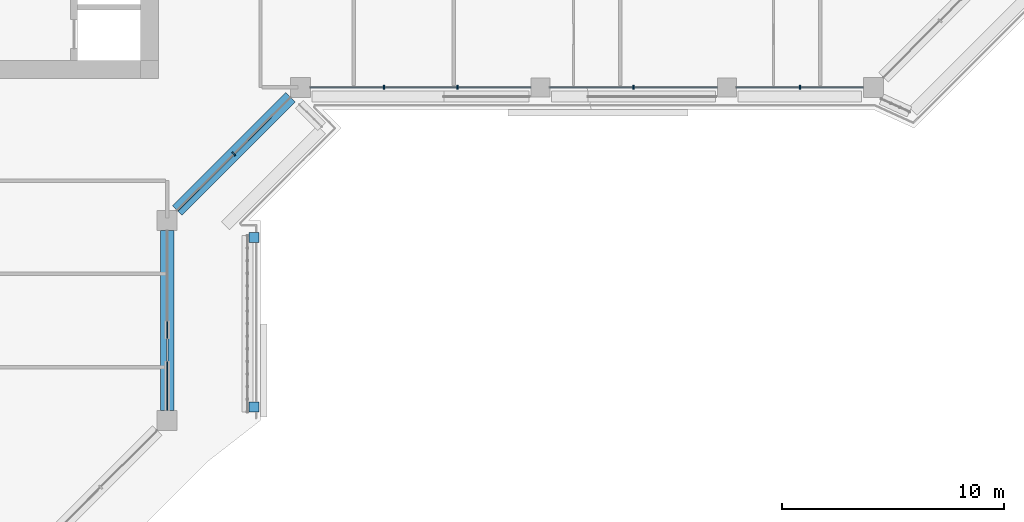
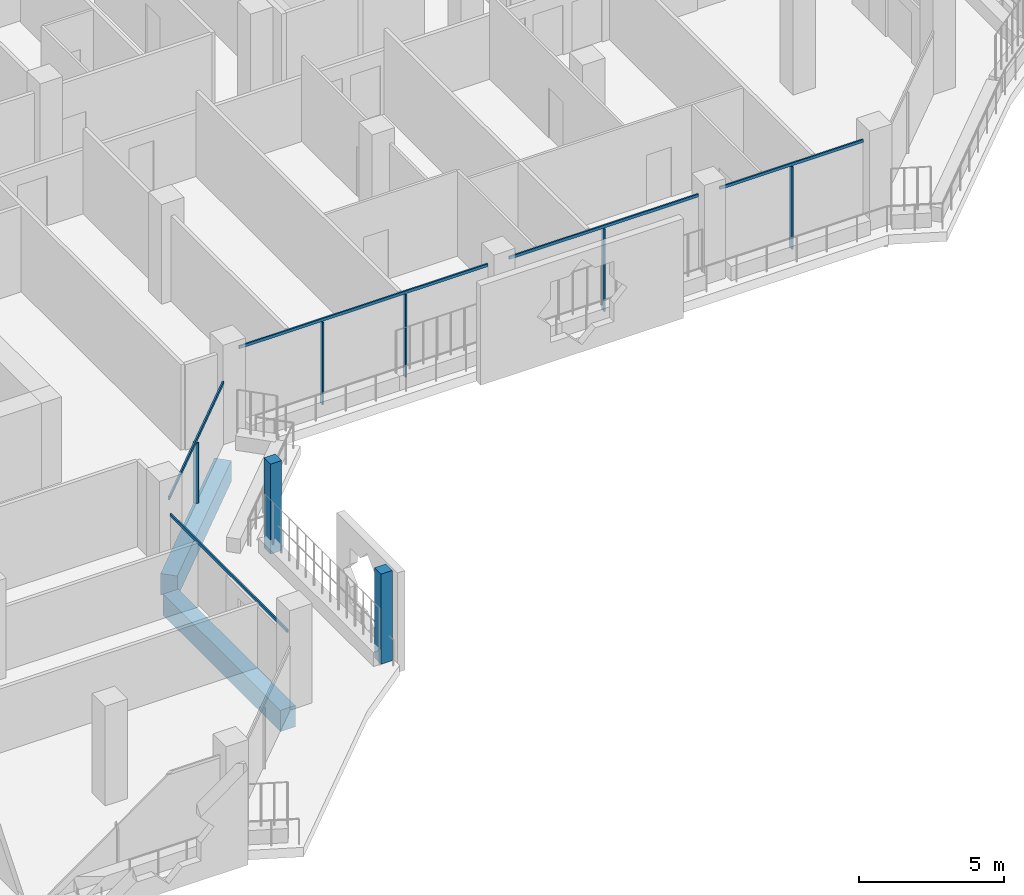
# One storey, part 4 of 21: 12 members, 2 beams, 4 elements without a shape of their own.
"""IFC4 building model written with IfcOpenShell, lengths in metres."""

import ifcopenshell
import ifcopenshell.guid

model = None  # the IFC model being written
_history = None  # IfcOwnerHistory: only IFC2X3 demands one
_inside = {}  # id of a spatial element -> (the spatial element, [elements in it])
_under = {}  # id of a project, library or spatial element -> (it, [spatial elements below it])
_declared = {}  # id of a project -> (the project, [libraries it declares])
_typed = {}  # id of a type object -> (the type object, [elements of that type])
_made_of = {}  # id of a material, layer set ... -> (it, [elements and type objects made of it])


def new_model(schema):
    """Start an empty IFC model of exactly this schema.

    Asked for "IFC4X3", IfcOpenShell would pick the latest addendum, in which some entities
    have other attributes; the version numbers below select the first issue.
    IFC2X3 requires an IfcOwnerHistory on every rooted entity: one is made here for all.
    """
    global model, _history
    if schema == "IFC4X3":
        model = ifcopenshell.file(schema_version=(4, 3, 0, 0))
    else:
        model = ifcopenshell.file(schema=schema)
    _inside.clear()
    _under.clear()
    _declared.clear()
    _typed.clear()
    _made_of.clear()
    _history = None
    if model.schema == "IFC2X3":
        org = make("IfcOrganization", Name="unknown")
        user = make(
            "IfcPersonAndOrganization",
            ThePerson=make("IfcPerson", FamilyName="unknown"),
            TheOrganization=org,
        )
        app = make(
            "IfcApplication",
            ApplicationDeveloper=org,
            Version="unknown",
            ApplicationFullName="unknown",
            ApplicationIdentifier="unknown",
        )
        _history = make(
            "IfcOwnerHistory",
            OwningUser=user,
            OwningApplication=app,
            ChangeAction="ADDED",
            CreationDate=0,
        )
    return model


def make(cls, **values):
    """One entity of the class cls with the attributes given. An attribute that is None is left unset."""
    return model.create_entity(
        cls, **{name: value for name, value in values.items() if value is not None}
    )


def rooted(cls, **values):
    """An entity with a GlobalId (a new one), such as an element, a storey or a relation."""
    return make(cls, GlobalId=ifcopenshell.guid.new(), OwnerHistory=_history, **values)


def si_unit(unit_type, name, prefix=None):
    """IfcSIUnit, for example si_unit("LENGTHUNIT", "METRE", prefix="MILLI")."""
    return make("IfcSIUnit", UnitType=unit_type, Prefix=prefix, Name=name)


def assignment(units):
    """IfcUnitAssignment: the units of a project."""
    return None if units is None else make("IfcUnitAssignment", Units=units)


def point(xyz):
    """IfcCartesianPoint."""
    return None if xyz is None else make("IfcCartesianPoint", Coordinates=xyz)


def direction(xyz):
    """IfcDirection."""
    return None if xyz is None else make("IfcDirection", DirectionRatios=xyz)


def frame(location, z_axis=None, x_axis=None):
    """IfcAxis2Placement3D, a coordinate frame: its origin and axes. An axis left out is left unset."""
    return make(
        "IfcAxis2Placement3D",
        Location=point(location),
        Axis=direction(z_axis),
        RefDirection=direction(x_axis),
    )


def frame_2d(location, x_axis=None):
    """IfcAxis2Placement2D, a coordinate frame in the plane: its origin and x axis."""
    return make(
        "IfcAxis2Placement2D", Location=point(location), RefDirection=direction(x_axis)
    )


def origin():
    """The frame at (0, 0, 0) with its axes left unset."""
    return frame((0.0, 0.0, 0.0))


def origin_2d():
    """The frame at (0, 0) in the plane with its x axis left unset."""
    return frame_2d((0.0, 0.0))


def place(relative_to, where):
    """IfcLocalPlacement: puts the frame where relative to a parent placement (None: the world)."""
    return make(
        "IfcLocalPlacement", PlacementRelTo=relative_to, RelativePlacement=where
    )


def context(
    kind, dimensions, precision=None, world=None, true_north=None, identifier=None
):
    """IfcGeometricRepresentationContext, for example the 3D "Model" context."""
    return make(
        "IfcGeometricRepresentationContext",
        ContextIdentifier=identifier,
        ContextType=kind,
        CoordinateSpaceDimension=dimensions,
        Precision=precision,
        WorldCoordinateSystem=world,
        TrueNorth=true_north,
    )


def subcontext(parent, identifier, kind, view, scale=None):
    """IfcGeometricRepresentationSubContext, for example "Body" below "Model"."""
    return make(
        "IfcGeometricRepresentationSubContext",
        ContextIdentifier=identifier,
        ContextType=kind,
        ParentContext=parent,
        TargetScale=scale,
        TargetView=view,
    )


def project(units=None, contexts=None):
    """IfcProject with its units and contexts."""
    return rooted(
        "IfcProject",
        Name="project",
        RepresentationContexts=contexts,
        UnitsInContext=assignment(units),
    )


def spatial(cls, under=None, at=None, **own):
    """A site, building, storey or space (cls), placed at a placement, below another one or the project."""
    s = rooted(cls, ObjectPlacement=at, **own)
    if under is not None:
        _under.setdefault(under.id(), (under, []))[1].append(s)
    return s


def profile(cls, at=None, kind="AREA", **sizes):
    """A parametric profile (cls). Its sizes go by their IFC names, for example OverallWidth=200.0."""
    return make(cls, ProfileType=kind, Position=at, **sizes)


def rectangle(**sizes):
    """IfcRectangleProfileDef."""
    return profile("IfcRectangleProfileDef", **sizes)


def extrude(swept, where, along, depth):
    """IfcExtrudedAreaSolid: the profile swept, set in the frame where, extruded along a direction by depth."""
    return make(
        "IfcExtrudedAreaSolid",
        SweptArea=swept,
        Position=where,
        ExtrudedDirection=direction(along),
        Depth=depth,
    )


def shape(context_of_items, identifier, shape_type, items):
    """IfcShapeRepresentation: the items that make up one representation, for example the "Body"."""
    return make(
        "IfcShapeRepresentation",
        ContextOfItems=context_of_items,
        RepresentationIdentifier=identifier,
        RepresentationType=shape_type,
        Items=items,
    )


def material(Name=None, Category=None):
    """IfcMaterial."""
    return make("IfcMaterial", Name=Name, Category=Category)


def layer(
    of_material, thickness, ventilated=None, Name=None, Category=None, Priority=None
):
    """IfcMaterialLayer: one layer of a wall or slab, of a material (None: an air gap)."""
    return make(
        "IfcMaterialLayer",
        Material=of_material,
        LayerThickness=thickness,
        IsVentilated=ventilated,
        Name=Name,
        Category=Category,
        Priority=Priority,
    )


def layer_set(layers, Name=None):
    """IfcMaterialLayerSet."""
    return make("IfcMaterialLayerSet", MaterialLayers=layers, LayerSetName=Name)


def material_profile(
    of_material, cross_section, Name=None, Category=None, Priority=None
):
    """IfcMaterialProfile: a cross section and its material."""
    return make(
        "IfcMaterialProfile",
        Name=Name,
        Material=of_material,
        Profile=cross_section,
        Priority=Priority,
        Category=Category,
    )


def profile_set(profiles, Name=None, composite=None):
    """IfcMaterialProfileSet."""
    return make(
        "IfcMaterialProfileSet",
        Name=Name,
        MaterialProfiles=profiles,
        CompositeProfile=composite,
    )


def made_of(thing, what):
    """Note that an element or type object is made of a material, layer set ...; save() writes the relation."""
    if what is not None:
        _made_of.setdefault(what.id(), (what, []))[1].append(thing)
    return thing


def type_object(cls, material=None, **own):
    """A type object (cls), such as IfcWallType, which elements share."""
    return made_of(rooted(cls, **own), material)


def element(
    cls,
    number,
    at=None,
    inside=None,
    cuts=None,
    type_object=None,
    material=None,
    context=None,
    identifier="Body",
    shape_type=None,
    held_by="IfcProductDefinitionShape",
    body=None,
    shapes=None,
    **own,
):
    """One element of the class cls, such as IfcWall. Its Tag is "e" and its number.

    at: its placement. inside: the storey or other place that contains it. cuts: it is an
    opening in that element (IfcRelVoidsElement). A single representation is given by context,
    identifier, shape_type and body (its items); several are given by shapes. held_by: the class
    of the entity that holds the representations. save() writes the other relations.
    """
    e = rooted(cls, Tag="e%d" % number, ObjectPlacement=at, **own)
    if body is not None:
        shapes = [shape(context, identifier, shape_type, body)]
    if shapes is not None:
        e.Representation = make(held_by, Representations=shapes)
    if inside is not None:
        _inside.setdefault(inside.id(), (inside, []))[1].append(e)
    if cuts is not None:
        rooted(
            "IfcRelVoidsElement", RelatingBuildingElement=cuts, RelatedOpeningElement=e
        )
    if type_object is not None:
        _typed.setdefault(type_object.id(), (type_object, []))[1].append(e)
    return made_of(e, material)


def aggregate(whole, parts):
    """IfcRelAggregates: a whole, such as a stair, and the parts it consists of."""
    return rooted("IfcRelAggregates", RelatingObject=whole, RelatedObjects=parts)


def save(model, path):
    """Write the relations noted so far, then the file.

    IfcRelAggregates (storeys below a building ...), IfcRelContainedInSpatialStructure (elements
    in a storey), IfcRelDefinesByType, IfcRelAssociatesMaterial and IfcRelDeclares: one each for
    every whole, place, type object, material and project.
    """
    for whole, parts in _under.values():
        aggregate(whole, parts)
    for where, things in _inside.values():
        rooted(
            "IfcRelContainedInSpatialStructure",
            RelatedElements=things,
            RelatingStructure=where,
        )
    for kind, things in _typed.values():
        rooted("IfcRelDefinesByType", RelatedObjects=things, RelatingType=kind)
    for what, things in _made_of.values():
        rooted("IfcRelAssociatesMaterial", RelatedObjects=things, RelatingMaterial=what)
    for by, libraries in _declared.values():
        rooted("IfcRelDeclares", RelatingContext=by, RelatedDefinitions=libraries)
    model.write(path)


model = new_model("IFC4")

# Units and contexts
model_context = context("Model", 3, precision=1e-05, world=origin(), true_north=direction((0.0, 1.0)))
body_context = subcontext(model_context, "Body", "Model", "MODEL_VIEW")
ifc_project = project(units=[si_unit("LENGTHUNIT", "METRE"), si_unit("AREAUNIT", "SQUARE_METRE"), si_unit("VOLUMEUNIT", "CUBIC_METRE"), si_unit("PLANEANGLEUNIT", "RADIAN"), si_unit("MASSUNIT", "GRAM", prefix="KILO")], contexts=[model_context])

# Site, building, storey
site_placement = place(None, origin())
site = spatial("IfcSite", under=ifc_project, at=site_placement, CompositionType="ELEMENT")
building_placement = place(site_placement, origin())
building = spatial("IfcBuilding", under=site, at=building_placement, Name="Kawkab Arch Medical Tower", CompositionType="ELEMENT")
storey_placement = place(building_placement, frame((0.0, 0.0, 260.0)))
storey = spatial("IfcBuildingStorey", under=building, at=storey_placement, Name="L60", CompositionType="ELEMENT", Elevation=260.0)

# Curtain wall, members
ifc_material_1 = material(Name="Bronze anodised aluminium curtain wall frame", Category="aluminium")
ifc_layer_1 = layer(ifc_material_1, 0.159912109375)
ifc_layer_set_1 = layer_set([ifc_layer_1], Name="Bronze anodised aluminium curtain wall frame")
curtain_wall_type_1 = type_object("IfcCurtainWallType", Name="CW1 ward curtain wall", PredefinedType="NOTDEFINED", material=ifc_layer_set_1)
placement = place(storey_placement, origin())
curtain_wall_1 = element("IfcCurtainWall", 1, at=placement, inside=storey, type_object=curtain_wall_type_1, Name="CW1 Ward curtain wall R07", PredefinedType="NOTDEFINED")
ifc_material_2 = material(Name="Bronze anodised aluminium curtain wall frame", Category="aluminium")
ifc_material_profile_1 = material_profile(ifc_material_2, rectangle(XDim=0.179931640625, YDim=0.06005859375, at=origin_2d()), Name="AL 60x180")
ifc_profile_set_1 = profile_set([ifc_material_profile_1], Name="Bronze anodised aluminium curtain wall frame")
member_type_1 = type_object("IfcMemberType", Name="CW1 mullion 60 x 180", PredefinedType="MULLION", material=ifc_profile_set_1)
member_1_placement = place(storey_placement, frame((34.958251953125, -25.199951171875, 0.0), z_axis=(0.0, 0.0, 1.0), x_axis=(0.0, 1.0, 0.0)))
member_1 = element("IfcMember", 2, at=member_1_placement, type_object=member_type_1, Name="CW1 mullion 1.1", PredefinedType="MULLION", context=body_context, shape_type="SweptSolid", body=[
    extrude(rectangle(XDim=0.179931640625, YDim=0.06005859375, at=origin_2d()), origin(), (0.0, 0.0, 1.0), 3.47998046875),
])
member_2_placement = place(storey_placement, frame((38.2666015625, -25.199951171875, 0.0), z_axis=(0.0, 0.0, 1.0), x_axis=(0.0, 1.0, 0.0)))
member_2 = element("IfcMember", 3, at=member_2_placement, type_object=member_type_1, Name="CW1 mullion 1.2", PredefinedType="MULLION", context=body_context, shape_type="SweptSolid", body=[
    extrude(rectangle(XDim=0.179931640625, YDim=0.06005859375, at=origin_2d()), origin(), (0.0, 0.0, 1.0), 3.47998046875),
])
member_3_placement = place(storey_placement, frame((46.199951171875, -25.199951171875, 0.0), z_axis=(0.0, 0.0, 1.0), x_axis=(0.0, 1.0, 0.0)))
member_3 = element("IfcMember", 4, at=member_3_placement, type_object=member_type_1, Name="CW1 mullion 2.1", PredefinedType="MULLION", context=body_context, shape_type="SweptSolid", body=[
    extrude(rectangle(XDim=0.179931640625, YDim=0.06005859375, at=origin_2d()), origin(), (0.0, 0.0, 1.0), 3.47998046875),
])
member_4_placement = place(storey_placement, frame((53.6875, -25.199951171875, 0.0), z_axis=(0.0, 0.0, 1.0), x_axis=(0.0, 1.0, 0.0)))
member_4 = element("IfcMember", 5, at=member_4_placement, type_object=member_type_1, Name="CW1 mullion 3.1", PredefinedType="MULLION", context=body_context, shape_type="SweptSolid", body=[
    extrude(rectangle(XDim=0.179931640625, YDim=0.06005859375, at=origin_2d()), origin(), (0.0, 0.0, 1.0), 3.47998046875),
])

# Curtain wall, member
curtain_wall_2 = element("IfcCurtainWall", 6, at=placement, inside=storey, type_object=curtain_wall_type_1, Name="CW1 Ward curtain wall R05", PredefinedType="NOTDEFINED")
ifc_material_3 = material(Name="Bronze anodised aluminium curtain wall frame", Category="aluminium")
ifc_material_profile_2 = material_profile(ifc_material_3, rectangle(XDim=0.06005859375, YDim=0.1201171875, at=origin_2d()), Name="AL 60x120")
ifc_profile_set_2 = profile_set([ifc_material_profile_2], Name="Bronze anodised aluminium curtain wall frame")
member_type_2 = type_object("IfcMemberType", Name="CW1 transom 120 x 60", PredefinedType="USERDEFINED", material=ifc_profile_set_2)
member_5_placement = place(storey_placement, frame((25.199951171875, -39.75, 2.639892578125), z_axis=(0.0, 1.0, 0.0), x_axis=(-1.0, 0.0, 0.0)))
member_5 = element("IfcMember", 7, at=member_5_placement, type_object=member_type_2, Name="CW1 transom 1", ObjectType="TRANSOM", PredefinedType="USERDEFINED", context=body_context, shape_type="SweptSolid", body=[
    extrude(rectangle(XDim=0.06005859375, YDim=0.1201171875, at=origin_2d()), origin(), (0.0, 0.0, 1.0), 8.10009765625),
])
aggregate(curtain_wall_2, [member_5])

# Member
member_6_placement = place(storey_placement, frame((31.64990234375, -25.199951171875, 3.5400390625), z_axis=(1.0, 0.0, 0.0), x_axis=(0.0, 1.0, 0.0)))
member_6 = element("IfcMember", 8, at=member_6_placement, type_object=member_type_2, Name="CW1 transom 1", ObjectType="TRANSOM", PredefinedType="USERDEFINED", context=body_context, shape_type="SweptSolid", body=[
    extrude(rectangle(XDim=0.06005859375, YDim=0.1201171875, at=origin_2d()), origin(), (0.0, 0.0, 1.0), 9.925048828125),
])

member_7_placement = place(storey_placement, frame((42.425048828125, -25.199951171875, 3.5400390625), z_axis=(1.0, 0.0, 0.0), x_axis=(0.0, 1.0, 0.0)))
member_7 = element("IfcMember", 9, at=member_7_placement, type_object=member_type_2, Name="CW1 transom 2", ObjectType="TRANSOM", PredefinedType="USERDEFINED", context=body_context, shape_type="SweptSolid", body=[
    extrude(rectangle(XDim=0.06005859375, YDim=0.1201171875, at=origin_2d()), origin(), (0.0, 0.0, 1.0), 7.550048828125),
])

member_8_placement = place(storey_placement, frame((50.824951171875, -25.199951171875, 3.5400390625), z_axis=(1.0, 0.0, 0.0), x_axis=(0.0, 1.0, 0.0)))
member_8 = element("IfcMember", 10, at=member_8_placement, type_object=member_type_2, Name="CW1 transom 3", ObjectType="TRANSOM", PredefinedType="USERDEFINED", context=body_context, shape_type="SweptSolid", body=[
    extrude(rectangle(XDim=0.06005859375, YDim=0.1201171875, at=origin_2d()), origin(), (0.0, 0.0, 1.0), 5.72509765625),
])

aggregate(curtain_wall_1, [member_6, member_1, member_2, member_7, member_3, member_8, member_4])

# Curtain wall, members
ifc_material_4 = material(Name="Bronze anodised aluminium curtain wall frame", Category="aluminium")
ifc_layer_2 = layer(ifc_material_4, 0.159912109375)
ifc_layer_set_2 = layer_set([ifc_layer_2], Name="Bronze anodised aluminium curtain wall frame")
curtain_wall_type_2 = type_object("IfcCurtainWallType", Name="CW2 chamfer curtain wall", PredefinedType="NOTDEFINED", material=ifc_layer_set_2)
curtain_wall_3 = element("IfcCurtainWall", 11, at=placement, inside=storey, type_object=curtain_wall_type_2, Name="CW2 Chamfer curtain wall R06", PredefinedType="NOTDEFINED")
ifc_material_5 = material(Name="Bronze anodised aluminium curtain wall frame", Category="aluminium")
ifc_material_profile_3 = material_profile(ifc_material_5, rectangle(XDim=0.199951171875, YDim=0.06005859375, at=origin_2d()), Name="AL 60x200")
ifc_profile_set_3 = profile_set([ifc_material_profile_3], Name="Bronze anodised aluminium curtain wall frame")
member_type_3 = type_object("IfcMemberType", Name="CW2 mullion 60 x 200", PredefinedType="MULLION", material=ifc_profile_set_3)
member_9_placement = place(storey_placement, frame((28.199951171875, -28.199951171875, 0.0), z_axis=(0.0, 0.0, 1.0), x_axis=(-0.707106781187, 0.707106781187, 0.0)))
member_9 = element("IfcMember", 12, at=member_9_placement, type_object=member_type_3, Name="CW2 mullion 1.1", PredefinedType="MULLION", context=body_context, shape_type="SweptSolid", body=[
    extrude(rectangle(XDim=0.199951171875, YDim=0.06005859375, at=origin_2d()), origin(), (0.0, 0.0, 1.0), 2.56005859375),
])
ifc_material_6 = material(Name="Bronze anodised aluminium curtain wall frame", Category="aluminium")
ifc_material_profile_4 = material_profile(ifc_material_6, rectangle(XDim=0.06005859375, YDim=0.139892578125, at=origin_2d()), Name="AL 60x140")
ifc_profile_set_4 = profile_set([ifc_material_profile_4], Name="Bronze anodised aluminium curtain wall frame")
member_type_4 = type_object("IfcMemberType", Name="CW2 transom 140 x 60", PredefinedType="USERDEFINED", material=ifc_profile_set_4)
member_10_placement = place(storey_placement, frame((25.64990234375, -30.75, 2.6298828125), z_axis=(0.707106781187, 0.707106781187, 0.0), x_axis=(-0.707106781187, 0.707106781187, 0.0)))
member_10 = element("IfcMember", 13, at=member_10_placement, type_object=member_type_4, Name="CW2 transom 1", ObjectType="TRANSOM", PredefinedType="USERDEFINED", context=body_context, shape_type="SweptSolid", body=[
    extrude(rectangle(XDim=0.06005859375, YDim=0.139892578125, at=origin_2d()), origin(), (0.0, 0.0, 1.0), 7.212646484375),
])
aggregate(curtain_wall_3, [member_10, member_9])

ifc_material_7 = material(Name="Bronze anodised aluminium climber frame, planted", Category="aluminium")
ifc_layer_3 = layer(ifc_material_7, 0.449951171875)
ifc_layer_set_3 = layer_set([ifc_layer_3], Name="Bronze anodised aluminium climber frame, planted")
curtain_wall_type_3 = type_object("IfcCurtainWallType", Name="Planted climber frame", PredefinedType="NOTDEFINED", material=ifc_layer_set_3)
curtain_wall_4 = element("IfcCurtainWall", 14, at=placement, inside=storey, type_object=curtain_wall_type_3, Name="Planted climber frame L60", PredefinedType="NOTDEFINED")
ifc_material_8 = material(Name="Bronze anodised aluminium climber frame, planted", Category="aluminium")
ifc_material_profile_5 = material_profile(ifc_material_8, rectangle(XDim=0.449951171875, YDim=0.449951171875, at=origin_2d()), Name="Post 450x450")
ifc_profile_set_5 = profile_set([ifc_material_profile_5], Name="Bronze anodised aluminium climber frame, planted")
member_type_5 = type_object("IfcMemberType", Name="Planted climber post 450 x 450", PredefinedType="MULLION", material=ifc_profile_set_5)
member_11_placement = place(storey_placement, frame((29.10009765625, -31.949951171875, 0.0), z_axis=(0.0, 0.0, 1.0), x_axis=(1.0, 0.0, 0.0)))
member_11 = element("IfcMember", 15, at=member_11_placement, type_object=member_type_5, Name="Planted climber post L60.LOG-01-01.3", PredefinedType="MULLION", context=body_context, shape_type="SweptSolid", body=[
    extrude(rectangle(XDim=0.449951171875, YDim=0.449951171875, at=origin_2d()), origin(), (0.0, 0.0, 1.0), 3.800048828125),
])
member_12_placement = place(storey_placement, frame((29.10009765625, -39.60302734375, 0.0), z_axis=(0.0, 0.0, 1.0), x_axis=(1.0, 0.0, 0.0)))
member_12 = element("IfcMember", 16, at=member_12_placement, type_object=member_type_5, Name="Planted climber post L60.LOG-01-01.4", PredefinedType="MULLION", context=body_context, shape_type="SweptSolid", body=[
    extrude(rectangle(XDim=0.449951171875, YDim=0.449951171875, at=origin_2d()), origin(), (0.0, 0.0, 1.0), 3.800048828125),
])
aggregate(curtain_wall_4, [member_11, member_12])

# Beams
ifc_material_9 = material(Name="Concrete C45/55", Category="concrete")
ifc_material_profile_6 = material_profile(ifc_material_9, rectangle(XDim=0.60009765625, YDim=0.89990234375, at=origin_2d()), Name="RC 600x900")
ifc_profile_set_6 = profile_set([ifc_material_profile_6], Name="Concrete C45/55")
beam_type = type_object("IfcBeamType", Name="RC 600x900 beam C45/55", PredefinedType="BEAM", material=ifc_profile_set_6)
beam_1_placement = place(storey_placement, frame((30.75, -25.64990234375, -1.050048828125), z_axis=(-0.707106781187, -0.707106781187, 0.0), x_axis=(0.707106781187, -0.707106781187, 0.0)))
element("IfcBeam", 17, at=beam_1_placement, inside=storey, type_object=beam_type, Name="Overhang edge beam L60-04", PredefinedType="BEAM", context=body_context, shape_type="SweptSolid", body=[
    extrude(rectangle(XDim=0.60009765625, YDim=0.89990234375, at=origin_2d()), origin(), (0.0, 0.0, 1.0), 7.212646484375),
])
beam_2_placement = place(storey_placement, frame((25.199951171875, -31.64990234375, -1.050048828125), z_axis=(0.0, -1.0, 0.0), x_axis=(1.0, 0.0, 0.0)))
element("IfcBeam", 18, at=beam_2_placement, inside=storey, type_object=beam_type, Name="Overhang edge beam L60-05", PredefinedType="BEAM", context=body_context, shape_type="SweptSolid", body=[
    extrude(rectangle(XDim=0.60009765625, YDim=0.89990234375, at=origin_2d()), origin(), (0.0, 0.0, 1.0), 8.10009765625),
])

save(model, "model.ifc")
